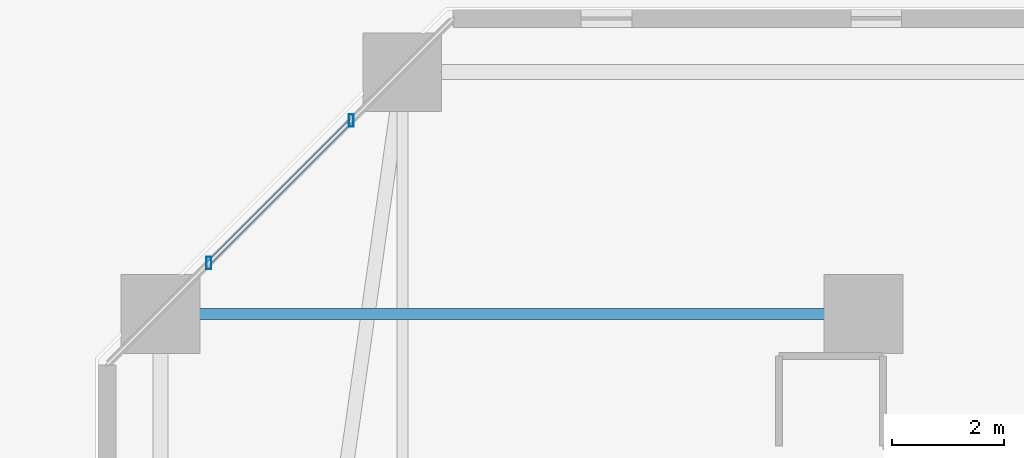
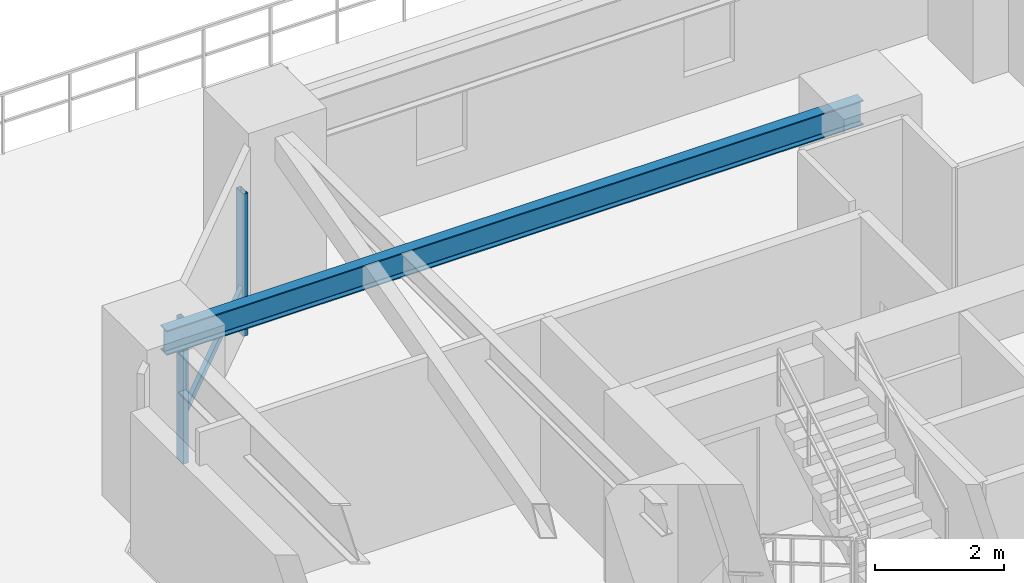
# One storey, part 14 of 34: 3 members, 1 beam, 1 element without a shape of its own.
"""IFC4 building model written with IfcOpenShell, lengths in metres."""

from ifc_helpers import new_model, si_unit, direction, frame, origin, origin_2d, place, context, subcontext, project, spatial, hollow_rectangle, i_section, extrude, material, material_profile, profile_set, type_object, element, aggregate, save


model = new_model("IFC4")

# Units and contexts
model_context = context("Model", 3, precision=1e-05, world=origin(), true_north=direction((0.0, 1.0)))
body_context = subcontext(model_context, "Body", "Model", "MODEL_VIEW")
ifc_project = project(units=[si_unit("LENGTHUNIT", "METRE"), si_unit("AREAUNIT", "SQUARE_METRE"), si_unit("VOLUMEUNIT", "CUBIC_METRE"), si_unit("PLANEANGLEUNIT", "RADIAN"), si_unit("MASSUNIT", "GRAM", prefix="KILO")], contexts=[model_context])

# Site, building, storey
site_placement = place(None, origin())
site = spatial("IfcSite", under=ifc_project, at=site_placement, CompositionType="ELEMENT")
building_placement = place(site_placement, origin())
building = spatial("IfcBuilding", under=site, at=building_placement, Name="Thornwick Lancets Civic Towers", CompositionType="ELEMENT")
storey_placement = place(building_placement, frame((0.0, 0.0, 27.89990234375)))
storey = spatial("IfcBuildingStorey", under=building, at=storey_placement, Name="L06", CompositionType="ELEMENT", Elevation=27.89990234375)

# Beam
ifc_material_1 = material(Name="Steel S355JR", Category="steel")
ifc_material_profile_1 = material_profile(ifc_material_1, i_section(OverallWidth=0.19287109375, OverallDepth=0.46728515625, WebThickness=0.011474609375, FlangeThickness=0.01953125, FilletRadius=0.01025390625, at=origin_2d()), Name="UKB 457x191x98")
ifc_profile_set_1 = profile_set([ifc_material_profile_1], Name="Steel S355JR")
beam_type = type_object("IfcBeamType", Name="BM_JOIST_457_98", PredefinedType="JOIST", material=ifc_profile_set_1)
beam_placement = place(storey_placement, frame((83.699951171875, 40.0, 3.12646484375), z_axis=(-1.0, 0.0, 0.0), x_axis=(0.0, -1.0, 0.0)))
element("IfcBeam", 1, at=beam_placement, inside=storey, type_object=beam_type, Name="BM-RADIN-L06-B09", PredefinedType="JOIST", context=body_context, shape_type="SweptSolid", body=[
    extrude(i_section(OverallWidth=0.19287109375, OverallDepth=0.46728515625, WebThickness=0.011474609375, FlangeThickness=0.01953125, FilletRadius=0.01025390625, at=origin_2d()), origin(), (0.0, 0.0, 1.0), 12.5),
])

# Curtain wall, members
ifc_material_2 = material(Name="Low-zone chamfered-corner unitised glass curtain wall", Category="glass")
curtain_wall_type = type_object("IfcCurtainWallType", Name="CW_SYS_03", PredefinedType="NOTDEFINED", material=ifc_material_2)
curtain_wall_placement = place(storey_placement, origin())
curtain_wall = element("IfcCurtainWall", 2, at=curtain_wall_placement, inside=storey, type_object=curtain_wall_type, Name="L06 Curtain Wall CW-L06-B-E5", PredefinedType="NOTDEFINED")
ifc_material_3 = material(Name="Thermally broken bronze aluminium S355", Category="steel")
ifc_material_profile_2 = material_profile(ifc_material_3, hollow_rectangle(XDim=0.090087890625, YDim=0.219970703125, WallThickness=0.00634765625, at=origin_2d()), Name="RHS 220x90x6.3")
ifc_profile_set_2 = profile_set([ifc_material_profile_2], Name="Thermally broken bronze aluminium S355")
member_type_1 = type_object("IfcMemberType", Name="CW_MUL_220", PredefinedType="MULLION", material=ifc_profile_set_2)
member_1_placement = place(storey_placement, frame((74.591552734375, 43.440673828125, 0.0), z_axis=(0.0, 0.0, 1.0), x_axis=(1.0, 0.0, 0.0)))
member_1 = element("IfcMember", 3, at=member_1_placement, type_object=member_type_1, Name="CW-L06-B-E5 Mullion 0", PredefinedType="MULLION", context=body_context, shape_type="SweptSolid", body=[
    extrude(hollow_rectangle(XDim=0.090087890625, YDim=0.219970703125, WallThickness=0.00634765625, at=origin_2d()), origin(), (0.0, 0.0, 1.0), 2.7001953125),
])
member_2_placement = place(storey_placement, frame((72.059326171875, 40.908447265625, 0.0), z_axis=(0.0, 0.0, 1.0), x_axis=(1.0, 0.0, 0.0)))
member_2 = element("IfcMember", 4, at=member_2_placement, type_object=member_type_1, Name="CW-L06-B-E5 Mullion 1", PredefinedType="MULLION", context=body_context, shape_type="SweptSolid", body=[
    extrude(hollow_rectangle(XDim=0.090087890625, YDim=0.219970703125, WallThickness=0.00634765625, at=origin_2d()), origin(), (0.0, 0.0, 1.0), 2.7001953125),
])
ifc_material_profile_3 = material_profile(ifc_material_3, hollow_rectangle(XDim=0.074951171875, YDim=0.14990234375, WallThickness=0.0048828125, at=origin_2d()), Name="RHS 150x75x5")
ifc_profile_set_3 = profile_set([ifc_material_profile_3], Name="Thermally broken bronze aluminium S355")
member_type_2 = type_object("IfcMemberType", Name="CW_TRN_150", PredefinedType="USERDEFINED", material=ifc_profile_set_3)
member_3_placement = place(storey_placement, frame((74.577392578125, 43.426513671875, 0.85009765625), z_axis=(-0.707106781187, -0.707106781187, 0.0), x_axis=(0.707106781187, -0.707106781187, 0.0)))
member_3 = element("IfcMember", 5, at=member_3_placement, type_object=member_type_2, Name="CW-L06-B-E5 Transom 0", ObjectType="TRANSOM", PredefinedType="USERDEFINED", context=body_context, shape_type="SweptSolid", body=[
    extrude(hollow_rectangle(XDim=0.074951171875, YDim=0.14990234375, WallThickness=0.0048828125, at=origin_2d()), origin(), (0.0, 0.0, 1.0), 3.541015625),
])
aggregate(curtain_wall, [member_1, member_2, member_3])

save(model, "model.ifc")
